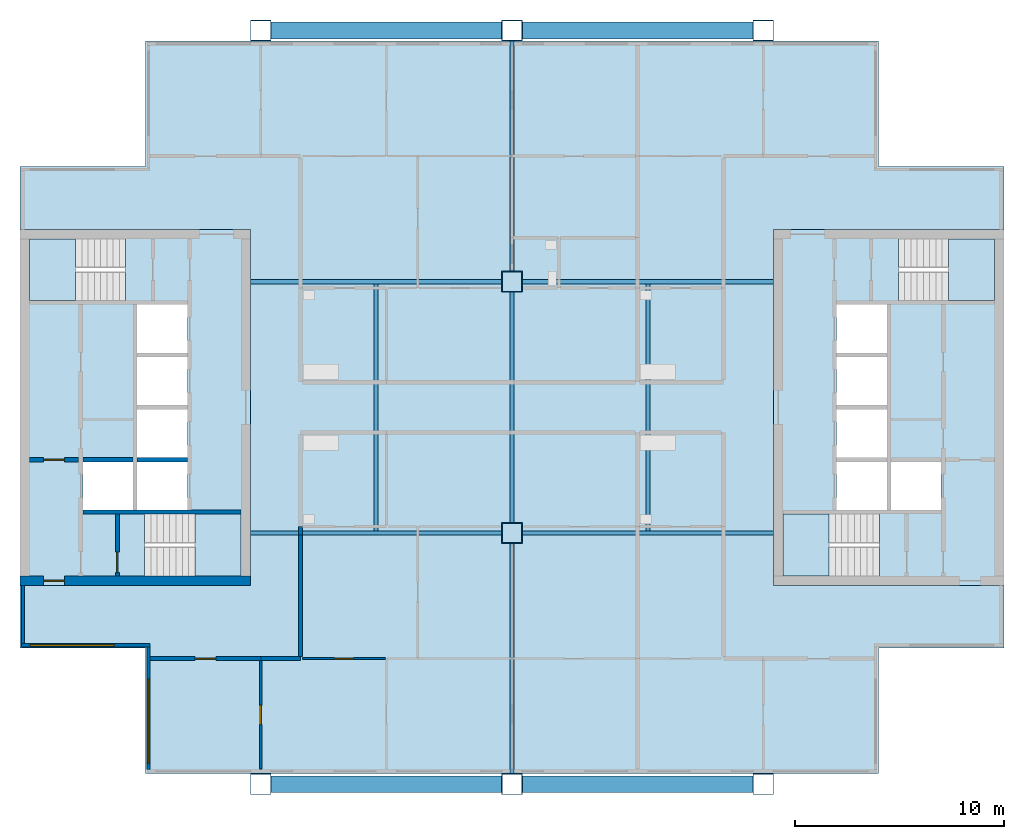
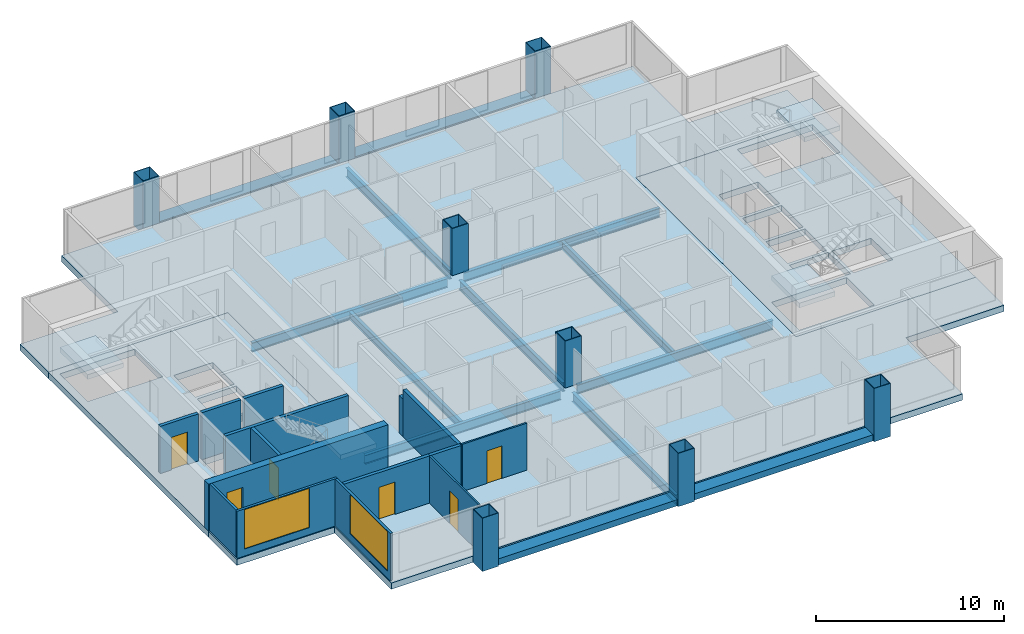
# One storey, part 1 of 8: 15 walls, 13 beams, 8 columns, 7 slabs, 6 doors, 2 windows, 8 openings, 4 elements without a shape of their own.
"""IFC4 building model written with IfcOpenShell, lengths in metres."""

import ifcopenshell
import ifcopenshell.guid

model = None  # the IFC model being written
_history = None  # IfcOwnerHistory: only IFC2X3 demands one
_inside = {}  # id of a spatial element -> (the spatial element, [elements in it])
_under = {}  # id of a project, library or spatial element -> (it, [spatial elements below it])
_declared = {}  # id of a project -> (the project, [libraries it declares])
_typed = {}  # id of a type object -> (the type object, [elements of that type])
_made_of = {}  # id of a material, layer set ... -> (it, [elements and type objects made of it])


def new_model(schema):
    """Start an empty IFC model of exactly this schema.

    Asked for "IFC4X3", IfcOpenShell would pick the latest addendum, in which some entities
    have other attributes; the version numbers below select the first issue.
    IFC2X3 requires an IfcOwnerHistory on every rooted entity: one is made here for all.
    """
    global model, _history
    if schema == "IFC4X3":
        model = ifcopenshell.file(schema_version=(4, 3, 0, 0))
    else:
        model = ifcopenshell.file(schema=schema)
    _inside.clear()
    _under.clear()
    _declared.clear()
    _typed.clear()
    _made_of.clear()
    _history = None
    if model.schema == "IFC2X3":
        org = make("IfcOrganization", Name="unknown")
        user = make(
            "IfcPersonAndOrganization",
            ThePerson=make("IfcPerson", FamilyName="unknown"),
            TheOrganization=org,
        )
        app = make(
            "IfcApplication",
            ApplicationDeveloper=org,
            Version="unknown",
            ApplicationFullName="unknown",
            ApplicationIdentifier="unknown",
        )
        _history = make(
            "IfcOwnerHistory",
            OwningUser=user,
            OwningApplication=app,
            ChangeAction="ADDED",
            CreationDate=0,
        )
    return model


def make(cls, **values):
    """One entity of the class cls with the attributes given. An attribute that is None is left unset."""
    return model.create_entity(
        cls, **{name: value for name, value in values.items() if value is not None}
    )


def rooted(cls, **values):
    """An entity with a GlobalId (a new one), such as an element, a storey or a relation."""
    return make(cls, GlobalId=ifcopenshell.guid.new(), OwnerHistory=_history, **values)


def si_unit(unit_type, name, prefix=None):
    """IfcSIUnit, for example si_unit("LENGTHUNIT", "METRE", prefix="MILLI")."""
    return make("IfcSIUnit", UnitType=unit_type, Prefix=prefix, Name=name)


def assignment(units):
    """IfcUnitAssignment: the units of a project."""
    return None if units is None else make("IfcUnitAssignment", Units=units)


def point(xyz):
    """IfcCartesianPoint."""
    return None if xyz is None else make("IfcCartesianPoint", Coordinates=xyz)


def direction(xyz):
    """IfcDirection."""
    return None if xyz is None else make("IfcDirection", DirectionRatios=xyz)


def frame(location, z_axis=None, x_axis=None):
    """IfcAxis2Placement3D, a coordinate frame: its origin and axes. An axis left out is left unset."""
    return make(
        "IfcAxis2Placement3D",
        Location=point(location),
        Axis=direction(z_axis),
        RefDirection=direction(x_axis),
    )


def frame_2d(location, x_axis=None):
    """IfcAxis2Placement2D, a coordinate frame in the plane: its origin and x axis."""
    return make(
        "IfcAxis2Placement2D", Location=point(location), RefDirection=direction(x_axis)
    )


def origin():
    """The frame at (0, 0, 0) with its axes left unset."""
    return frame((0.0, 0.0, 0.0))


def origin_2d():
    """The frame at (0, 0) in the plane with its x axis left unset."""
    return frame_2d((0.0, 0.0))


def place(relative_to, where):
    """IfcLocalPlacement: puts the frame where relative to a parent placement (None: the world)."""
    return make(
        "IfcLocalPlacement", PlacementRelTo=relative_to, RelativePlacement=where
    )


def context(
    kind, dimensions, precision=None, world=None, true_north=None, identifier=None
):
    """IfcGeometricRepresentationContext, for example the 3D "Model" context."""
    return make(
        "IfcGeometricRepresentationContext",
        ContextIdentifier=identifier,
        ContextType=kind,
        CoordinateSpaceDimension=dimensions,
        Precision=precision,
        WorldCoordinateSystem=world,
        TrueNorth=true_north,
    )


def subcontext(parent, identifier, kind, view, scale=None):
    """IfcGeometricRepresentationSubContext, for example "Body" below "Model"."""
    return make(
        "IfcGeometricRepresentationSubContext",
        ContextIdentifier=identifier,
        ContextType=kind,
        ParentContext=parent,
        TargetScale=scale,
        TargetView=view,
    )


def project(units=None, contexts=None):
    """IfcProject with its units and contexts."""
    return rooted(
        "IfcProject",
        Name="project",
        RepresentationContexts=contexts,
        UnitsInContext=assignment(units),
    )


def spatial(cls, under=None, at=None, **own):
    """A site, building, storey or space (cls), placed at a placement, below another one or the project."""
    s = rooted(cls, ObjectPlacement=at, **own)
    if under is not None:
        _under.setdefault(under.id(), (under, []))[1].append(s)
    return s


def polyline(points):
    """IfcPolyline through the points."""
    return make("IfcPolyline", Points=[point(p) for p in points])


def profile(cls, at=None, kind="AREA", **sizes):
    """A parametric profile (cls). Its sizes go by their IFC names, for example OverallWidth=200.0."""
    return make(cls, ProfileType=kind, Position=at, **sizes)


def rectangle(**sizes):
    """IfcRectangleProfileDef."""
    return profile("IfcRectangleProfileDef", **sizes)


def hollow_rectangle(**sizes):
    """IfcRectangleHollowProfileDef."""
    return profile("IfcRectangleHollowProfileDef", **sizes)


def i_section(**sizes):
    """IfcIShapeProfileDef."""
    return profile("IfcIShapeProfileDef", **sizes)


def outline(outer, holes=None, kind="AREA"):
    """IfcArbitraryClosedProfileDef: a profile drawn as a closed curve; with holes, ...WithVoids."""
    if holes is None:
        return make("IfcArbitraryClosedProfileDef", ProfileType=kind, OuterCurve=outer)
    return make(
        "IfcArbitraryProfileDefWithVoids",
        ProfileType=kind,
        OuterCurve=outer,
        InnerCurves=holes,
    )


def extrude(swept, where, along, depth):
    """IfcExtrudedAreaSolid: the profile swept, set in the frame where, extruded along a direction by depth."""
    return make(
        "IfcExtrudedAreaSolid",
        SweptArea=swept,
        Position=where,
        ExtrudedDirection=direction(along),
        Depth=depth,
    )


def shape(context_of_items, identifier, shape_type, items):
    """IfcShapeRepresentation: the items that make up one representation, for example the "Body"."""
    return make(
        "IfcShapeRepresentation",
        ContextOfItems=context_of_items,
        RepresentationIdentifier=identifier,
        RepresentationType=shape_type,
        Items=items,
    )


def material(Name=None, Category=None):
    """IfcMaterial."""
    return make("IfcMaterial", Name=Name, Category=Category)


def layer(
    of_material, thickness, ventilated=None, Name=None, Category=None, Priority=None
):
    """IfcMaterialLayer: one layer of a wall or slab, of a material (None: an air gap)."""
    return make(
        "IfcMaterialLayer",
        Material=of_material,
        LayerThickness=thickness,
        IsVentilated=ventilated,
        Name=Name,
        Category=Category,
        Priority=Priority,
    )


def layer_set(layers, Name=None):
    """IfcMaterialLayerSet."""
    return make("IfcMaterialLayerSet", MaterialLayers=layers, LayerSetName=Name)


def material_profile(
    of_material, cross_section, Name=None, Category=None, Priority=None
):
    """IfcMaterialProfile: a cross section and its material."""
    return make(
        "IfcMaterialProfile",
        Name=Name,
        Material=of_material,
        Profile=cross_section,
        Priority=Priority,
        Category=Category,
    )


def profile_set(profiles, Name=None, composite=None):
    """IfcMaterialProfileSet."""
    return make(
        "IfcMaterialProfileSet",
        Name=Name,
        MaterialProfiles=profiles,
        CompositeProfile=composite,
    )


def made_of(thing, what):
    """Note that an element or type object is made of a material, layer set ...; save() writes the relation."""
    if what is not None:
        _made_of.setdefault(what.id(), (what, []))[1].append(thing)
    return thing


def type_object(cls, material=None, **own):
    """A type object (cls), such as IfcWallType, which elements share."""
    return made_of(rooted(cls, **own), material)


def element(
    cls,
    number,
    at=None,
    inside=None,
    cuts=None,
    type_object=None,
    material=None,
    context=None,
    identifier="Body",
    shape_type=None,
    held_by="IfcProductDefinitionShape",
    body=None,
    shapes=None,
    **own,
):
    """One element of the class cls, such as IfcWall. Its Tag is "e" and its number.

    at: its placement. inside: the storey or other place that contains it. cuts: it is an
    opening in that element (IfcRelVoidsElement). A single representation is given by context,
    identifier, shape_type and body (its items); several are given by shapes. held_by: the class
    of the entity that holds the representations. save() writes the other relations.
    """
    e = rooted(cls, Tag="e%d" % number, ObjectPlacement=at, **own)
    if body is not None:
        shapes = [shape(context, identifier, shape_type, body)]
    if shapes is not None:
        e.Representation = make(held_by, Representations=shapes)
    if inside is not None:
        _inside.setdefault(inside.id(), (inside, []))[1].append(e)
    if cuts is not None:
        rooted(
            "IfcRelVoidsElement", RelatingBuildingElement=cuts, RelatedOpeningElement=e
        )
    if type_object is not None:
        _typed.setdefault(type_object.id(), (type_object, []))[1].append(e)
    return made_of(e, material)


def fill(opening, filler):
    """IfcRelFillsElement: the door or window that sits in an opening."""
    return rooted(
        "IfcRelFillsElement",
        RelatingOpeningElement=opening,
        RelatedBuildingElement=filler,
    )


def aggregate(whole, parts):
    """IfcRelAggregates: a whole, such as a stair, and the parts it consists of."""
    return rooted("IfcRelAggregates", RelatingObject=whole, RelatedObjects=parts)


def save(model, path):
    """Write the relations noted so far, then the file.

    IfcRelAggregates (storeys below a building ...), IfcRelContainedInSpatialStructure (elements
    in a storey), IfcRelDefinesByType, IfcRelAssociatesMaterial and IfcRelDeclares: one each for
    every whole, place, type object, material and project.
    """
    for whole, parts in _under.values():
        aggregate(whole, parts)
    for where, things in _inside.values():
        rooted(
            "IfcRelContainedInSpatialStructure",
            RelatedElements=things,
            RelatingStructure=where,
        )
    for kind, things in _typed.values():
        rooted("IfcRelDefinesByType", RelatedObjects=things, RelatingType=kind)
    for what, things in _made_of.values():
        rooted("IfcRelAssociatesMaterial", RelatedObjects=things, RelatingMaterial=what)
    for by, libraries in _declared.values():
        rooted("IfcRelDeclares", RelatingContext=by, RelatedDefinitions=libraries)
    model.write(path)


model = new_model("IFC4")

# Units and contexts
model_context = context("Model", 3, precision=1e-05, world=origin(), true_north=direction((0.0, 1.0)))
body_context = subcontext(model_context, "Body", "Model", "MODEL_VIEW")
ifc_project = project(units=[si_unit("LENGTHUNIT", "METRE"), si_unit("AREAUNIT", "SQUARE_METRE"), si_unit("VOLUMEUNIT", "CUBIC_METRE"), si_unit("PLANEANGLEUNIT", "RADIAN"), si_unit("MASSUNIT", "GRAM", prefix="KILO")], contexts=[model_context])

# Site, building, storey
site_placement = place(None, origin())
site = spatial("IfcSite", under=ifc_project, at=site_placement, CompositionType="ELEMENT")
building_placement = place(site_placement, origin())
building = spatial("IfcBuilding", under=site, at=building_placement, Name="Kitamizu Gate Tower and Museum", CompositionType="ELEMENT")
storey_placement = place(building_placement, frame((0.0, 0.0, 262.800048828125)))
storey = spatial("IfcBuildingStorey", under=building, at=storey_placement, Name="L71", CompositionType="ELEMENT", Elevation=262.800048828125)

# Columns
ifc_material_1 = material(Name="Steel SM490A bronze coated", Category="steel")
ifc_material_profile_1 = material_profile(ifc_material_1, hollow_rectangle(XDim=1.0, YDim=1.0, WallThickness=0.035888671875, at=origin_2d()), Name="BOX 1000x1000x36")
ifc_profile_set_1 = profile_set([ifc_material_profile_1], Name="Steel SM490A bronze coated")
column_type_1 = type_object("IfcColumnType", Name="Exoskeleton column XC9 BOX 1000x1000x36", PredefinedType="COLUMN", material=ifc_profile_set_1)
for number, where, z_axis, x_axis, name in (
    (1, (24.0, 12.0, -0.400146484375), (0.0, 0.0, 1.0), (1.0, 0.0, 0.0), "Column XC9 3B L71"),
    (2, (24.0, 48.0, -0.400146484375), (0.0, 0.0, 1.0), (1.0, 0.0, 0.0), "Column XC9 3E L71"),
    (3, (36.0, 12.0, -0.400146484375), (0.0, 0.0, 1.0), (1.0, 0.0, 0.0), "Column XC9 4B L71"),
    (4, (36.0, 48.0, -0.400146484375), (0.0, 0.0, 1.0), (1.0, 0.0, 0.0), "Column XC9 4E L71"),
    (5, (48.0, 12.0, -0.400146484375), (0.0, 0.0, 1.0), (1.0, 0.0, 0.0), "Column XC9 5B L71"),
    (6, (48.0, 48.0, -0.400146484375), (0.0, 0.0, 1.0), (1.0, 0.0, 0.0), "Column XC9 5E L71"),
):
    element("IfcColumn", number, at=place(storey_placement, frame(where, z_axis=z_axis, x_axis=x_axis)), inside=storey, type_object=column_type_1, Name=name, PredefinedType="COLUMN", context=body_context, shape_type="SweptSolid", body=[
        extrude(hollow_rectangle(XDim=1.0, YDim=1.0, WallThickness=0.035888671875, at=origin_2d()), origin(), (0.0, 0.0, 1.0), 3.4501953125),
    ])
ifc_material_2 = material(Name="Steel SM490A", Category="steel")
ifc_material_profile_2 = material_profile(ifc_material_2, hollow_rectangle(XDim=1.0, YDim=1.0, WallThickness=0.0400390625, at=origin_2d()), Name="BOX 1000x1000x40")
ifc_profile_set_2 = profile_set([ifc_material_profile_2], Name="Steel SM490A")
column_type_2 = type_object("IfcColumnType", Name="Interior column IC5 BOX 1000x1000x40", PredefinedType="COLUMN", material=ifc_profile_set_2)
for number, where, z_axis, x_axis, name in (
    (7, (36.0, 24.0, 0.0), (0.0, 0.0, 1.0), (1.0, 0.0, 0.0), "Column IC5 4C L71"),
    (8, (36.0, 36.0, 0.0), (0.0, 0.0, 1.0), (1.0, 0.0, 0.0), "Column IC5 4D L71"),
):
    element("IfcColumn", number, at=place(storey_placement, frame(where, z_axis=z_axis, x_axis=x_axis)), inside=storey, type_object=column_type_2, Name=name, PredefinedType="COLUMN", context=body_context, shape_type="SweptSolid", body=[
        extrude(hollow_rectangle(XDim=1.0, YDim=1.0, WallThickness=0.0400390625, at=origin_2d()), origin(), (0.0, 0.0, 1.0), 3.050048828125),
    ])

# Beams
ifc_material_3 = material(Name="Steel SM490A bronze coated", Category="steel")
ifc_material_profile_3 = material_profile(ifc_material_3, hollow_rectangle(XDim=0.800048828125, YDim=0.39990234375, WallThickness=0.0400390625, at=origin_2d()), Name="BOX 800x400x40")
ifc_profile_set_3 = profile_set([ifc_material_profile_3], Name="Steel SM490A bronze coated")
beam_type_1 = type_object("IfcBeamType", Name="Exoskeleton spandrel beam SB1 BOX 800x400x40", PredefinedType="SPANDREL", material=ifc_profile_set_3)
for number, where, z_axis, x_axis, name in (
    (9, (24.5, 12.0, -0.199951171875), (1.0, 0.0, 0.0), (0.0, 1.0, 0.0), "Exoskeleton spandrel beam south 24 L71"),
    (10, (36.5, 12.0, -0.199951171875), (1.0, 0.0, 0.0), (0.0, 1.0, 0.0), "Exoskeleton spandrel beam south 36 L71"),
    (11, (24.5, 48.0, -0.199951171875), (1.0, 0.0, 0.0), (0.0, 1.0, 0.0), "Exoskeleton spandrel beam north 24 L71"),
    (12, (36.5, 48.0, -0.199951171875), (1.0, 0.0, 0.0), (0.0, 1.0, 0.0), "Exoskeleton spandrel beam north 36 L71"),
):
    element("IfcBeam", number, at=place(storey_placement, frame(where, z_axis=z_axis, x_axis=x_axis)), inside=storey, type_object=beam_type_1, Name=name, PredefinedType="SPANDREL", context=body_context, shape_type="SweptSolid", body=[
        extrude(hollow_rectangle(XDim=0.800048828125, YDim=0.39990234375, WallThickness=0.0400390625, at=origin_2d()), origin(), (0.0, 0.0, 1.0), 11.0),
    ])
ifc_material_4 = material(Name="Steel SM490A", Category="steel")
ifc_material_profile_4 = material_profile(ifc_material_4, i_section(OverallWidth=0.199951171875, OverallDepth=0.5, WebThickness=0.010009765625, FlangeThickness=0.01611328125, FilletRadius=0.02001953125, at=origin_2d()), Name="H-500x200x10x16")
ifc_profile_set_4 = profile_set([ifc_material_profile_4], Name="Steel SM490A")
beam_type_2 = type_object("IfcBeamType", Name="Floor beam FB1 H 500x200x10x16", PredefinedType="BEAM", material=ifc_profile_set_4)
for number, where, z_axis, x_axis, name in (
    (13, (29.5, 24.10009765625, -0.650146484375), (0.0, 1.0, 0.0), (-1.0, 0.0, 0.0), "Floor beam FB1 L71-1"),
    (14, (42.5, 24.10009765625, -0.650146484375), (0.0, 1.0, 0.0), (-1.0, 0.0, 0.0), "Floor beam FB1 L71-2"),
):
    element("IfcBeam", number, at=place(storey_placement, frame(where, z_axis=z_axis, x_axis=x_axis)), inside=storey, type_object=beam_type_2, Name=name, PredefinedType="BEAM", context=body_context, shape_type="SweptSolid", body=[
        extrude(i_section(OverallWidth=0.199951171875, OverallDepth=0.5, WebThickness=0.010009765625, FlangeThickness=0.01611328125, FilletRadius=0.02001953125, at=origin_2d()), origin(), (0.0, 0.0, 1.0), 11.7998046875),
    ])
ifc_material_5 = material(Name="Steel SM490A", Category="steel")
ifc_material_profile_5 = material_profile(ifc_material_5, i_section(OverallWidth=0.199951171875, OverallDepth=0.60009765625, WebThickness=0.010986328125, FlangeThickness=0.01708984375, FilletRadius=0.02197265625, at=origin_2d()), Name="H-600x200x11x17")
ifc_profile_set_5 = profile_set([ifc_material_profile_5], Name="Steel SM490A")
beam_type_3 = type_object("IfcBeamType", Name="Floor girder FG1 H 600x200x11x17", PredefinedType="BEAM", material=ifc_profile_set_5)
for number, where, z_axis, x_axis, name in (
    (15, (36.0, 12.5, -0.699951171875), (0.0, 1.0, 0.0), (-1.0, 0.0, 0.0), "Floor girder FG1 x36 L71"),
    (16, (36.0, 24.5, -0.699951171875), (0.0, 1.0, 0.0), (-1.0, 0.0, 0.0), "Floor girder FG1 x36 L71"),
    (17, (36.0, 36.5, -0.699951171875), (0.0, 1.0, 0.0), (-1.0, 0.0, 0.0), "Floor girder FG1 x36 L71"),
):
    element("IfcBeam", number, at=place(storey_placement, frame(where, z_axis=z_axis, x_axis=x_axis)), inside=storey, type_object=beam_type_3, Name=name, PredefinedType="BEAM", context=body_context, shape_type="SweptSolid", body=[
        extrude(i_section(OverallWidth=0.199951171875, OverallDepth=0.60009765625, WebThickness=0.010986328125, FlangeThickness=0.01708984375, FilletRadius=0.02197265625, at=origin_2d()), origin(), (0.0, 0.0, 1.0), 11.0),
    ])
for number, where, z_axis, x_axis, name in (
    (18, (23.5, 24.0, -0.699951171875), (1.0, 0.0, 0.0), (0.0, 1.0, 0.0), "Floor girder FG1 y24 L71"),
    (19, (36.5, 24.0, -0.699951171875), (1.0, 0.0, 0.0), (0.0, 1.0, 0.0), "Floor girder FG1 y24 L71"),
    (20, (23.5, 36.0, -0.699951171875), (1.0, 0.0, 0.0), (0.0, 1.0, 0.0), "Floor girder FG1 y36 L71"),
    (21, (36.5, 36.0, -0.699951171875), (1.0, 0.0, 0.0), (0.0, 1.0, 0.0), "Floor girder FG1 y36 L71"),
):
    element("IfcBeam", number, at=place(storey_placement, frame(where, z_axis=z_axis, x_axis=x_axis)), inside=storey, type_object=beam_type_3, Name=name, PredefinedType="BEAM", context=body_context, shape_type="SweptSolid", body=[
        extrude(i_section(OverallWidth=0.199951171875, OverallDepth=0.60009765625, WebThickness=0.010986328125, FlangeThickness=0.01708984375, FilletRadius=0.02197265625, at=origin_2d()), origin(), (0.0, 0.0, 1.0), 12.0),
    ])

# Slabs
ifc_material_6 = material(Name="Concrete Fc36", Category="concrete")
ifc_layer_1 = layer(ifc_material_6, 0.39990234375)
ifc_layer_set_1 = layer_set([ifc_layer_1], Name="Concrete Fc36")
slab_type_1 = type_object("IfcSlabType", Name="Core floor slab 400", PredefinedType="FLOOR", material=ifc_layer_set_1)
slab_1_placement = place(storey_placement, frame((0.0, 0.0, -0.400146484375)))
element("IfcSlab", 22, at=slab_1_placement, inside=storey, type_object=slab_type_1, Name="Core floor slab W", PredefinedType="FLOOR", context=body_context, shape_type="SweptSolid", body=[
    extrude(outline(polyline([(12.5, 21.5), (23.5, 21.5), (23.5, 38.5), (12.5, 38.5), (12.5, 21.5)]), holes=[polyline([(15.5, 25.10009765625), (17.89990234375, 25.10009765625), (17.89990234375, 27.39990234375), (15.5, 27.39990234375), (15.5, 25.10009765625)]), polyline([(18.10009765625, 25.10009765625), (20.5, 25.10009765625), (20.5, 27.39990234375), (18.10009765625, 27.39990234375), (18.10009765625, 25.10009765625)]), polyline([(18.10009765625, 27.60009765625), (20.5, 27.60009765625), (20.5, 29.89990234375), (18.10009765625, 29.89990234375), (18.10009765625, 27.60009765625)]), polyline([(18.10009765625, 30.10009765625), (20.5, 30.10009765625), (20.5, 32.39990234375), (18.10009765625, 32.39990234375), (18.10009765625, 30.10009765625)]), polyline([(18.10009765625, 32.60009765625), (20.5, 32.60009765625), (20.5, 34.89990234375), (18.10009765625, 34.89990234375), (18.10009765625, 32.60009765625)]), polyline([(18.45068359375, 21.949951171875), (23.050048828125, 21.949951171875), (23.050048828125, 24.89990234375), (18.45068359375, 24.89990234375), (18.45068359375, 21.949951171875)]), polyline([(12.949951171875, 35.10009765625), (17.54931640625, 35.10009765625), (17.54931640625, 38.050048828125), (12.949951171875, 38.050048828125), (12.949951171875, 35.10009765625)])]), origin(), (0.0, 0.0, 1.0), 0.400146484375),
])
slab_2_placement = place(storey_placement, frame((0.0, 0.0, -0.400146484375)))
element("IfcSlab", 23, at=slab_2_placement, inside=storey, type_object=slab_type_1, Name="Core floor slab E", PredefinedType="FLOOR", context=body_context, shape_type="SweptSolid", body=[
    extrude(outline(polyline([(48.5, 21.5), (59.5, 21.5), (59.5, 38.5), (48.5, 38.5), (48.5, 21.5)]), holes=[polyline([(54.10009765625, 25.10009765625), (56.5, 25.10009765625), (56.5, 27.39990234375), (54.10009765625, 27.39990234375), (54.10009765625, 25.10009765625)]), polyline([(51.5, 25.10009765625), (53.89990234375, 25.10009765625), (53.89990234375, 27.39990234375), (51.5, 27.39990234375), (51.5, 25.10009765625)]), polyline([(51.5, 27.60009765625), (53.89990234375, 27.60009765625), (53.89990234375, 29.89990234375), (51.5, 29.89990234375), (51.5, 27.60009765625)]), polyline([(51.5, 30.10009765625), (53.89990234375, 30.10009765625), (53.89990234375, 32.39990234375), (51.5, 32.39990234375), (51.5, 30.10009765625)]), polyline([(51.5, 32.60009765625), (53.89990234375, 32.60009765625), (53.89990234375, 34.89990234375), (51.5, 34.89990234375), (51.5, 32.60009765625)]), polyline([(48.949951171875, 21.949951171875), (53.54931640625, 21.949951171875), (53.54931640625, 24.89990234375), (48.949951171875, 24.89990234375), (48.949951171875, 21.949951171875)]), polyline([(54.45068359375, 35.10009765625), (59.050048828125, 35.10009765625), (59.050048828125, 38.050048828125), (54.45068359375, 38.050048828125), (54.45068359375, 35.10009765625)])]), origin(), (0.0, 0.0, 1.0), 0.400146484375),
])
ifc_material_7 = material(Name="Concrete Fc36", Category="concrete")
ifc_layer_2 = layer(ifc_material_7, 0.39990234375)
ifc_layer_set_2 = layer_set([ifc_layer_2], Name="Concrete Fc36")
slab_type_2 = type_object("IfcSlabType", Name="Post tensioned flat slab 400", PredefinedType="FLOOR", material=ifc_layer_set_2)
slab_3_placement = place(storey_placement, frame((0.0, 0.0, -0.400146484375)))
element("IfcSlab", 24, at=slab_3_placement, inside=storey, type_object=slab_type_2, Name="Floor slab L71-1", PredefinedType="FLOOR", context=body_context, shape_type="SweptSolid", body=[
    extrude(outline(polyline([(12.5, 18.5), (12.5, 21.5), (23.5, 21.5), (23.5, 38.5), (12.5, 38.5), (12.5, 41.5), (18.5, 41.5), (18.5, 47.5), (53.5, 47.5), (53.5, 41.5), (59.5, 41.5), (59.5, 38.5), (48.5, 38.5), (48.5, 21.5), (59.5, 21.5), (59.5, 18.5), (53.5, 18.5), (53.5, 12.5), (18.5, 12.5), (18.5, 18.5), (12.5, 18.5)])), origin(), (0.0, 0.0, 1.0), 0.400146484375),
])

# Stair, slab
ifc_material_8 = material(Name="Concrete Fc42", Category="concrete")
stair_type = type_object("IfcStairType", Name="Exit stair 1375 wide 192 rise 300 going", PredefinedType="HALF_TURN_STAIR", material=ifc_material_8)
stair_1_placement = place(storey_placement, origin())
stair_1 = element("IfcStair", 25, at=stair_1_placement, inside=storey, type_object=stair_type, Name="Exit stair ST1", PredefinedType="HALF_TURN_STAIR")
ifc_material_9 = material(Name="Concrete Fc42", Category="concrete")
ifc_layer_3 = layer(ifc_material_9, 0.300048828125)
ifc_layer_set_3 = layer_set([ifc_layer_3], Name="Concrete Fc42")
slab_type_3 = type_object("IfcSlabType", Name="Stair landing 300", PredefinedType="LANDING", material=ifc_layer_set_3)
slab_4_placement = place(storey_placement, frame((0.0, 0.0, 1.425048828125)))
slab_4 = element("IfcSlab", 26, at=slab_4_placement, type_object=slab_type_3, Name="ST1 landing 1", PredefinedType="LANDING", context=body_context, shape_type="SweptSolid", body=[
    extrude(outline(polyline([(20.85009765625, 21.949951171875), (23.050048828125, 21.949951171875), (23.050048828125, 24.89990234375), (20.85009765625, 24.89990234375), (20.85009765625, 21.949951171875)])), origin(), (0.0, 0.0, 1.0), 0.2998046875),
])
aggregate(stair_1, [slab_4])

stair_2_placement = place(storey_placement, origin())
stair_2 = element("IfcStair", 27, at=stair_2_placement, inside=storey, type_object=stair_type, Name="Exit stair ST2", PredefinedType="HALF_TURN_STAIR")
slab_5_placement = place(storey_placement, frame((0.0, 0.0, 1.425048828125)))
slab_5 = element("IfcSlab", 28, at=slab_5_placement, type_object=slab_type_3, Name="ST2 landing 1", PredefinedType="LANDING", context=body_context, shape_type="SweptSolid", body=[
    extrude(outline(polyline([(12.949951171875, 35.10009765625), (15.14990234375, 35.10009765625), (15.14990234375, 38.050048828125), (12.949951171875, 38.050048828125), (12.949951171875, 35.10009765625)])), origin(), (0.0, 0.0, 1.0), 0.2998046875),
])
aggregate(stair_2, [slab_5])

stair_3_placement = place(storey_placement, origin())
stair_3 = element("IfcStair", 29, at=stair_3_placement, inside=storey, type_object=stair_type, Name="Exit stair ST3", PredefinedType="HALF_TURN_STAIR")
slab_6_placement = place(storey_placement, frame((0.0, 0.0, 1.425048828125)))
slab_6 = element("IfcSlab", 30, at=slab_6_placement, type_object=slab_type_3, Name="ST3 landing 1", PredefinedType="LANDING", context=body_context, shape_type="SweptSolid", body=[
    extrude(outline(polyline([(48.949951171875, 21.949951171875), (51.14990234375, 21.949951171875), (51.14990234375, 24.89990234375), (48.949951171875, 24.89990234375), (48.949951171875, 21.949951171875)])), origin(), (0.0, 0.0, 1.0), 0.2998046875),
])
aggregate(stair_3, [slab_6])

stair_4_placement = place(storey_placement, origin())
stair_4 = element("IfcStair", 31, at=stair_4_placement, inside=storey, type_object=stair_type, Name="Exit stair ST4", PredefinedType="HALF_TURN_STAIR")
slab_7_placement = place(storey_placement, frame((0.0, 0.0, 1.425048828125)))
slab_7 = element("IfcSlab", 32, at=slab_7_placement, type_object=slab_type_3, Name="ST4 landing 1", PredefinedType="LANDING", context=body_context, shape_type="SweptSolid", body=[
    extrude(outline(polyline([(56.85009765625, 35.10009765625), (59.050048828125, 35.10009765625), (59.050048828125, 38.050048828125), (56.85009765625, 38.050048828125), (56.85009765625, 35.10009765625)])), origin(), (0.0, 0.0, 1.0), 0.2998046875),
])
aggregate(stair_4, [slab_7])

# Wall, opening, door
ifc_material_10 = material(Name="Concrete Fc42", Category="concrete")
ifc_layer_4 = layer(ifc_material_10, 0.449951171875)
ifc_layer_set_4 = layer_set([ifc_layer_4], Name="Concrete Fc42")
wall_type_1 = type_object("IfcWallType", Name="Core wall 450 EI 90", PredefinedType="SHEAR", material=ifc_layer_set_4)
wall_1_placement = place(storey_placement, frame((12.5, 21.72509765625, 0.0), z_axis=(0.0, 0.0, 1.0), x_axis=(1.0, 0.0, 0.0)))
wall_1 = element("IfcWall", 33, at=wall_1_placement, inside=storey, type_object=wall_type_1, Name="Core wall WS", PredefinedType="SHEAR", context=body_context, shape_type="SweptSolid", body=[
    extrude(rectangle(XDim=11.0, YDim=0.449951171875, at=frame_2d((5.5, 0.0))), origin(), (0.0, 0.0, 1.0), 3.050048828125),
])
opening_1_placement = place(wall_1_placement, frame((1.125, 0.0, 0.0)))
opening_1 = element("IfcOpeningElement", 34, at=opening_1_placement, cuts=wall_1, Name="Opening L71-034", PredefinedType="OPENING", context=body_context, shape_type="SweptSolid", body=[
    extrude(rectangle(XDim=1.0, YDim=2.10009765625, at=frame_2d((0.5, 1.050048828125))), frame((0.0, 0.23486328125, 0.0), z_axis=(0.0, -1.0, 0.0), x_axis=(1.0, 0.0, 0.0)), (0.0, 0.0, 1.0), 0.469970703125),
])
ifc_material_11 = material(Name="Hollow metal door set")
door_type_1 = type_object("IfcDoorType", Name="Fire door 1000", OperationType="NOTDEFINED", PredefinedType="DOOR", material=ifc_material_11)
door_1_placement = place(opening_1_placement, origin())
door_1 = element("IfcDoor", 35, at=door_1_placement, inside=storey, type_object=door_type_1, Name="Fire-fighting lobby door L71-034", OperationType="SINGLE_SWING_LEFT", OverallHeight=2.10009765625, OverallWidth=1.0, PredefinedType="DOOR", context=body_context, shape_type="SweptSolid", body=[
    extrude(rectangle(XDim=1.0, YDim=2.10009765625, at=frame_2d((0.5, 1.050048828125))), frame((0.0, 0.02490234375, 0.0), z_axis=(0.0, -1.0, 0.0), x_axis=(1.0, 0.0, 0.0)), (0.0, 0.0, 1.0), 0.050048828125),
])
fill(opening_1, door_1)

ifc_material_12 = material(Name="Gypsum board on galvanised stud")
ifc_layer_5 = layer(ifc_material_12, 0.10009765625)
ifc_layer_set_5 = layer_set([ifc_layer_5], Name="Gypsum board on galvanised stud")
wall_type_2 = type_object("IfcWallType", Name="Partition 100 NOT RATED", PredefinedType="PARTITIONING", material=ifc_layer_set_5)
wall_2_placement = place(storey_placement, frame((24.0, 12.719970703125, 0.0), z_axis=(0.0, 0.0, 1.0), x_axis=(0.0, 1.0, 0.0)))
wall_2 = element("IfcWall", 36, at=wall_2_placement, inside=storey, type_object=wall_type_2, Name="Partition L71-001", PredefinedType="PARTITIONING", context=body_context, shape_type="SweptSolid", body=[
    extrude(rectangle(XDim=5.179931640625, YDim=0.10009765625, at=frame_2d((2.58984375, 0.0))), origin(), (0.0, 0.0, 1.0), 3.050048828125),
])
opening_2_placement = place(wall_2_placement, frame((2.139892578125, 0.0, 0.0)))
opening_2 = element("IfcOpeningElement", 37, at=opening_2_placement, cuts=wall_2, Name="Opening L71-002", PredefinedType="OPENING", context=body_context, shape_type="SweptSolid", body=[
    extrude(rectangle(XDim=0.89990234375, YDim=2.10009765625, at=frame_2d((0.449951171875, 1.050048828125))), frame((0.0, 0.06005859375, 0.0), z_axis=(0.0, -1.0, 0.0), x_axis=(1.0, 0.0, 0.0)), (0.0, 0.0, 1.0), 0.1201171875),
])
ifc_material_13 = material(Name="Timber door set", Category="wood")
door_type_2 = type_object("IfcDoorType", Name="Room door 900", OperationType="NOTDEFINED", PredefinedType="DOOR", material=ifc_material_13)
door_2_placement = place(opening_2_placement, frame((0.89990234375, 0.0, 0.0), x_axis=(-1.0, 0.0, 0.0)))
door_2 = element("IfcDoor", 38, at=door_2_placement, inside=storey, type_object=door_type_2, Name="Door L71-002", OperationType="SINGLE_SWING_RIGHT", OverallHeight=2.10009765625, OverallWidth=0.89990234375, PredefinedType="DOOR", context=body_context, shape_type="SweptSolid", body=[
    extrude(rectangle(XDim=0.89990234375, YDim=2.10009765625, at=frame_2d((0.449951171875, 1.050048828125))), frame((0.0, 0.02490234375, 0.0), z_axis=(0.0, -1.0, 0.0), x_axis=(1.0, 0.0, 0.0)), (0.0, 0.0, 1.0), 0.050048828125),
])
fill(opening_2, door_2)

wall_3_placement = place(storey_placement, frame((29.949951171875, 18.0, 0.0), z_axis=(0.0, 0.0, 1.0), x_axis=(-1.0, 0.0, 0.0)))
wall_3 = element("IfcWall", 39, at=wall_3_placement, inside=storey, type_object=wall_type_2, Name="Partition L71-004", PredefinedType="PARTITIONING", context=body_context, shape_type="SweptSolid", body=[
    extrude(rectangle(XDim=3.949951171875, YDim=0.10009765625, at=frame_2d((1.97509765625, 0.0))), origin(), (0.0, 0.0, 1.0), 3.050048828125),
])
opening_3_placement = place(wall_3_placement, frame((1.52490234375, 0.0, 0.0)))
opening_3 = element("IfcOpeningElement", 40, at=opening_3_placement, cuts=wall_3, Name="Opening L71-005", PredefinedType="OPENING", context=body_context, shape_type="SweptSolid", body=[
    extrude(rectangle(XDim=0.89990234375, YDim=2.10009765625, at=frame_2d((0.449951171875, 1.050048828125))), frame((0.0, 0.06005859375, 0.0), z_axis=(0.0, -1.0, 0.0), x_axis=(1.0, 0.0, 0.0)), (0.0, 0.0, 1.0), 0.1201171875),
])
door_3_placement = place(opening_3_placement, origin())
door_3 = element("IfcDoor", 41, at=door_3_placement, inside=storey, type_object=door_type_2, Name="Door L71-005", OperationType="SINGLE_SWING_RIGHT", OverallHeight=2.10009765625, OverallWidth=0.89990234375, PredefinedType="DOOR", context=body_context, shape_type="SweptSolid", body=[
    extrude(rectangle(XDim=0.89990234375, YDim=2.10009765625, at=frame_2d((0.449951171875, 1.050048828125))), frame((0.0, 0.02490234375, 0.0), z_axis=(0.0, -1.0, 0.0), x_axis=(1.0, 0.0, 0.0)), (0.0, 0.0, 1.0), 0.050048828125),
])
fill(opening_3, door_3)

ifc_material_14 = material(Name="Gypsum board on galvanised stud")
ifc_layer_6 = layer(ifc_material_14, 0.199951171875)
ifc_layer_set_6 = layer_set([ifc_layer_6], Name="Gypsum board on galvanised stud")
wall_type_3 = type_object("IfcWallType", Name="Partition 200", PredefinedType="PARTITIONING", material=ifc_layer_set_6)
wall_4_placement = place(storey_placement, frame((24.0, 18.0, 0.0), z_axis=(0.0, 0.0, 1.0), x_axis=(-1.0, 0.0, 0.0)))
wall_4 = element("IfcWall", 42, at=wall_4_placement, inside=storey, type_object=wall_type_3, Name="Partition L71-002", PredefinedType="PARTITIONING", context=body_context, shape_type="SweptSolid", body=[
    extrude(rectangle(XDim=5.280029296875, YDim=0.199951171875, at=frame_2d((2.64013671875, 0.0))), origin(), (0.0, 0.0, 1.0), 3.050048828125),
])
opening_4_placement = place(wall_4_placement, frame((2.139892578125, 0.0, 0.0)))
opening_4 = element("IfcOpeningElement", 43, at=opening_4_placement, cuts=wall_4, Name="Opening L71-001", PredefinedType="OPENING", context=body_context, shape_type="SweptSolid", body=[
    extrude(rectangle(XDim=1.0, YDim=2.10009765625, at=frame_2d((0.5, 1.050048828125))), frame((0.0, 0.10986328125, 0.0), z_axis=(0.0, -1.0, 0.0), x_axis=(1.0, 0.0, 0.0)), (0.0, 0.0, 1.0), 0.219970703125),
])
ifc_material_15 = material(Name="Timber door set", Category="wood")
door_type_3 = type_object("IfcDoorType", Name="Flat entrance door 1000", OperationType="NOTDEFINED", PredefinedType="DOOR", material=ifc_material_15)
door_4_placement = place(opening_4_placement, origin())
door_4 = element("IfcDoor", 44, at=door_4_placement, inside=storey, type_object=door_type_3, Name="Flat entrance door L71-001", OperationType="SINGLE_SWING_RIGHT", OverallHeight=2.10009765625, OverallWidth=1.0, PredefinedType="DOOR", context=body_context, shape_type="SweptSolid", body=[
    extrude(rectangle(XDim=1.0, YDim=2.10009765625, at=frame_2d((0.5, 1.050048828125))), frame((0.0, 0.02490234375, 0.0), z_axis=(0.0, -1.0, 0.0), x_axis=(1.0, 0.0, 0.0)), (0.0, 0.0, 1.0), 0.050048828125),
])
fill(opening_4, door_4)

# Walls
wall_5_placement = place(storey_placement, frame((25.89990234375, 18.0, 0.0), z_axis=(0.0, 0.0, 1.0), x_axis=(-1.0, 0.0, 0.0)))
element("IfcWall", 45, at=wall_5_placement, inside=storey, type_object=wall_type_3, Name="Partition L71-005", PredefinedType="PARTITIONING", context=body_context, shape_type="SweptSolid", body=[
    extrude(rectangle(XDim=1.89990234375, YDim=0.199951171875, at=frame_2d((0.949951171875, 0.0))), origin(), (0.0, 0.0, 1.0), 3.050048828125),
])
wall_6_placement = place(storey_placement, frame((25.89990234375, 24.300048828125, 0.0), z_axis=(0.0, 0.0, 1.0), x_axis=(0.0, -1.0, 0.0)))
element("IfcWall", 46, at=wall_6_placement, inside=storey, type_object=wall_type_3, Name="Partition L71-014", PredefinedType="PARTITIONING", context=body_context, shape_type="SweptSolid", body=[
    extrude(rectangle(XDim=0.400146484375, YDim=0.199951171875, at=frame_2d((0.2001953125, 0.0))), origin(), (0.0, 0.0, 1.0), 2.449951171875),
])
wall_7_placement = place(storey_placement, frame((25.89990234375, 23.89990234375, 0.0), z_axis=(0.0, 0.0, 1.0), x_axis=(0.0, -1.0, 0.0)))
element("IfcWall", 47, at=wall_7_placement, inside=storey, type_object=wall_type_3, Name="Partition L71-015", PredefinedType="PARTITIONING", context=body_context, shape_type="SweptSolid", body=[
    extrude(rectangle(XDim=5.7998046875, YDim=0.199951171875, at=frame_2d((2.89990234375, 0.0))), origin(), (0.0, 0.0, 1.0), 3.050048828125),
])
ifc_material_16 = material(Name="Concrete Fc42", Category="concrete")
ifc_layer_7 = layer(ifc_material_16, 0.199951171875)
ifc_layer_set_7 = layer_set([ifc_layer_7], Name="Concrete Fc42")
wall_type_4 = type_object("IfcWallType", Name="Shaft wall 200", PredefinedType="SOLIDWALL", material=ifc_layer_set_7)
wall_8_placement = place(storey_placement, frame((15.5, 25.0, 0.0), z_axis=(0.0, 0.0, 1.0), x_axis=(1.0, 0.0, 0.0)))
element("IfcWall", 48, at=wall_8_placement, inside=storey, type_object=wall_type_4, Name="Shaft wall WSB", PredefinedType="SOLIDWALL", context=body_context, shape_type="SweptSolid", body=[
    extrude(rectangle(XDim=7.550048828125, YDim=0.199951171875, at=frame_2d((3.77490234375, 0.0))), origin(), (0.0, 0.0, 1.0), 3.050048828125),
])

# Wall, opening, door
wall_9_placement = place(storey_placement, frame((12.949951171875, 27.5, 0.0), z_axis=(0.0, 0.0, 1.0), x_axis=(1.0, 0.0, 0.0)))
wall_9 = element("IfcWall", 49, at=wall_9_placement, inside=storey, type_object=wall_type_4, Name="Shaft wall WFFN", PredefinedType="SOLIDWALL", context=body_context, shape_type="SweptSolid", body=[
    extrude(rectangle(XDim=2.35009765625, YDim=0.199951171875, at=frame_2d((1.175048828125, 0.0))), origin(), (0.0, 0.0, 1.0), 3.050048828125),
])
opening_5_placement = place(wall_9_placement, frame((0.675048828125, 0.0, 0.0)))
opening_5 = element("IfcOpeningElement", 50, at=opening_5_placement, cuts=wall_9, Name="Opening L71-033", PredefinedType="OPENING", context=body_context, shape_type="SweptSolid", body=[
    extrude(rectangle(XDim=1.0, YDim=2.10009765625, at=frame_2d((0.5, 1.050048828125))), frame((0.0, 0.10986328125, 0.0), z_axis=(0.0, -1.0, 0.0), x_axis=(1.0, 0.0, 0.0)), (0.0, 0.0, 1.0), 0.219970703125),
])
door_5_placement = place(opening_5_placement, frame((1.0, 0.0, 0.0), x_axis=(-1.0, 0.0, 0.0)))
door_5 = element("IfcDoor", 51, at=door_5_placement, inside=storey, type_object=door_type_1, Name="Fire-fighting lobby door L71-033", OperationType="SINGLE_SWING_LEFT", OverallHeight=2.10009765625, OverallWidth=1.0, PredefinedType="DOOR", context=body_context, shape_type="SweptSolid", body=[
    extrude(rectangle(XDim=1.0, YDim=2.10009765625, at=frame_2d((0.5, 1.050048828125))), frame((0.0, 0.02490234375, 0.0), z_axis=(0.0, -1.0, 0.0), x_axis=(1.0, 0.0, 0.0)), (0.0, 0.0, 1.0), 0.050048828125),
])
fill(opening_5, door_5)

wall_10_placement = place(storey_placement, frame((17.14990234375, 21.949951171875, 0.0), z_axis=(0.0, 0.0, 1.0), x_axis=(0.0, 1.0, 0.0)))
wall_10 = element("IfcWall", 52, at=wall_10_placement, inside=storey, type_object=wall_type_4, Name="Shaft wall WSZ", PredefinedType="SOLIDWALL", context=body_context, shape_type="SweptSolid", body=[
    extrude(rectangle(XDim=2.949951171875, YDim=0.199951171875, at=frame_2d((1.47509765625, 0.0))), origin(), (0.0, 0.0, 1.0), 3.050048828125),
])
opening_6_placement = place(wall_10_placement, frame((0.14990234375, 0.0, 0.0)))
opening_6 = element("IfcOpeningElement", 53, at=opening_6_placement, cuts=wall_10, Name="Opening L71-029", PredefinedType="OPENING", context=body_context, shape_type="SweptSolid", body=[
    extrude(rectangle(XDim=1.0, YDim=2.10009765625, at=frame_2d((0.5, 1.050048828125))), frame((0.0, 0.10986328125, 0.0), z_axis=(0.0, -1.0, 0.0), x_axis=(1.0, 0.0, 0.0)), (0.0, 0.0, 1.0), 0.219970703125),
])
door_6_placement = place(opening_6_placement, frame((1.0, 0.0, 0.0), x_axis=(-1.0, 0.0, 0.0)))
door_6 = element("IfcDoor", 54, at=door_6_placement, inside=storey, type_object=door_type_1, Name="Stair door L71-029", OperationType="SINGLE_SWING_LEFT", OverallHeight=2.10009765625, OverallWidth=1.0, PredefinedType="DOOR", context=body_context, shape_type="SweptSolid", body=[
    extrude(rectangle(XDim=1.0, YDim=2.10009765625, at=frame_2d((0.5, 1.050048828125))), frame((0.0, 0.02490234375, 0.0), z_axis=(0.0, -1.0, 0.0), x_axis=(1.0, 0.0, 0.0)), (0.0, 0.0, 1.0), 0.050048828125),
])
fill(opening_6, door_6)

# Walls
for number, where, z_axis, x_axis, name in (
    (55, (15.5, 27.5, 0.0), (0.0, 0.0, 1.0), (1.0, 0.0, 0.0), "Shaft wall WDVW0"),
    (56, (18.10009765625, 27.5, 0.0), (0.0, 0.0, 1.0), (1.0, 0.0, 0.0), "Shaft wall WDVE0"),
):
    element("IfcWall", number, at=place(storey_placement, frame(where, z_axis=z_axis, x_axis=x_axis)), inside=storey, type_object=wall_type_4, Name=name, PredefinedType="SOLIDWALL", context=body_context, shape_type="SweptSolid", body=[
        extrude(rectangle(XDim=2.39990234375, YDim=0.199951171875, at=frame_2d((1.199951171875, 0.0))), origin(), (0.0, 0.0, 1.0), 3.050048828125),
    ])
ifc_material_17 = material(Name="Bronze anodised aluminium frame with insulated spandrel and tinted glass", Category="aluminium")
ifc_layer_8 = layer(ifc_material_17, 0.14990234375)
ifc_layer_set_8 = layer_set([ifc_layer_8], Name="Bronze anodised aluminium frame with insulated spandrel and tinted glass")
wall_type_5 = type_object("IfcWallType", Name="WINDOW WALL 150 BRONZE FRAME EI 30", PredefinedType="ELEMENTEDWALL", material=ifc_layer_set_8)
wall_11_placement = place(storey_placement, frame((12.635009765625, 18.7099609375, 0.0), z_axis=(0.0, 0.0, 1.0), x_axis=(0.0, 1.0, 0.0)))
element("IfcWall", 57, at=wall_11_placement, inside=storey, type_object=wall_type_5, Name="Window wall west L71", PredefinedType="ELEMENTEDWALL", context=body_context, shape_type="SweptSolid", body=[
    extrude(rectangle(XDim=2.7900390625, YDim=0.14990234375, at=frame_2d((1.39501953125, 0.0))), origin(), (0.0, 0.0, 1.0), 3.050048828125),
])

# Wall, opening, window
wall_12_placement = place(storey_placement, frame((12.56005859375, 18.635009765625, 0.0), z_axis=(0.0, 0.0, 1.0), x_axis=(1.0, 0.0, 0.0)))
wall_12 = element("IfcWall", 58, at=wall_12_placement, inside=storey, type_object=wall_type_5, Name="Window wall south L71", PredefinedType="ELEMENTEDWALL", context=body_context, shape_type="SweptSolid", body=[
    extrude(rectangle(XDim=6.14990234375, YDim=0.14990234375, at=frame_2d((3.074951171875, 0.0))), origin(), (0.0, 0.0, 1.0), 3.050048828125),
])
opening_7_placement = place(wall_12_placement, frame((0.43994140625, 0.0, 0.449951171875)))
opening_7 = element("IfcOpeningElement", 59, at=opening_7_placement, cuts=wall_12, Name="Opening W16", PredefinedType="OPENING", context=body_context, shape_type="SweptSolid", body=[
    extrude(rectangle(XDim=4.0, YDim=2.550048828125, at=frame_2d((2.0, 1.27490234375))), frame((0.0, 0.0849609375, 0.0), z_axis=(0.0, -1.0, 0.0), x_axis=(1.0, 0.0, 0.0)), (0.0, 0.0, 1.0), 0.169921875),
])
ifc_material_18 = material(Name="Bronze anodised aluminium frame, tinted triple glazing", Category="aluminium")
window_type = type_object("IfcWindowType", Name="WINDOW 4000 x 2550 SILL 450", PartitioningType="SINGLE_PANEL", PredefinedType="WINDOW", material=ifc_material_18)
window_1_placement = place(opening_7_placement, origin())
window_1 = element("IfcWindow", 60, at=window_1_placement, inside=storey, type_object=window_type, Name="Window W16 L71", OverallHeight=2.550048828125, OverallWidth=4.0, PartitioningType="SINGLE_PANEL", PredefinedType="WINDOW", context=body_context, shape_type="SweptSolid", body=[
    extrude(rectangle(XDim=4.0, YDim=2.550048828125, at=frame_2d((2.0, 1.27490234375))), frame((0.0, 0.030029296875, 0.0), z_axis=(0.0, -1.0, 0.0), x_axis=(1.0, 0.0, 0.0)), (0.0, 0.0, 1.0), 0.06005859375),
])
fill(opening_7, window_1)

wall_13_placement = place(storey_placement, frame((18.635009765625, 12.7099609375, 0.0), z_axis=(0.0, 0.0, 1.0), x_axis=(0.0, 1.0, 0.0)))
wall_13 = element("IfcWall", 61, at=wall_13_placement, inside=storey, type_object=wall_type_5, Name="Window wall west L71", PredefinedType="ELEMENTEDWALL", context=body_context, shape_type="SweptSolid", body=[
    extrude(rectangle(XDim=5.85009765625, YDim=0.14990234375, at=frame_2d((2.925048828125, 0.0))), origin(), (0.0, 0.0, 1.0), 3.050048828125),
])
opening_8_placement = place(wall_13_placement, frame((0.2900390625, 0.0, 0.449951171875)))
opening_8 = element("IfcOpeningElement", 62, at=opening_8_placement, cuts=wall_13, Name="Opening W16", PredefinedType="OPENING", context=body_context, shape_type="SweptSolid", body=[
    extrude(rectangle(XDim=4.0, YDim=2.550048828125, at=frame_2d((2.0, 1.27490234375))), frame((0.0, 0.0849609375, 0.0), z_axis=(0.0, -1.0, 0.0), x_axis=(1.0, 0.0, 0.0)), (0.0, 0.0, 1.0), 0.169921875),
])
window_2_placement = place(opening_8_placement, origin())
window_2 = element("IfcWindow", 63, at=window_2_placement, inside=storey, type_object=window_type, Name="Window W16 L71", OverallHeight=2.550048828125, OverallWidth=4.0, PartitioningType="SINGLE_PANEL", PredefinedType="WINDOW", context=body_context, shape_type="SweptSolid", body=[
    extrude(rectangle(XDim=4.0, YDim=2.550048828125, at=frame_2d((2.0, 1.27490234375))), frame((0.0, 0.030029296875, 0.0), z_axis=(0.0, -1.0, 0.0), x_axis=(1.0, 0.0, 0.0)), (0.0, 0.0, 1.0), 0.06005859375),
])
fill(opening_8, window_2)

save(model, "model.ifc")
